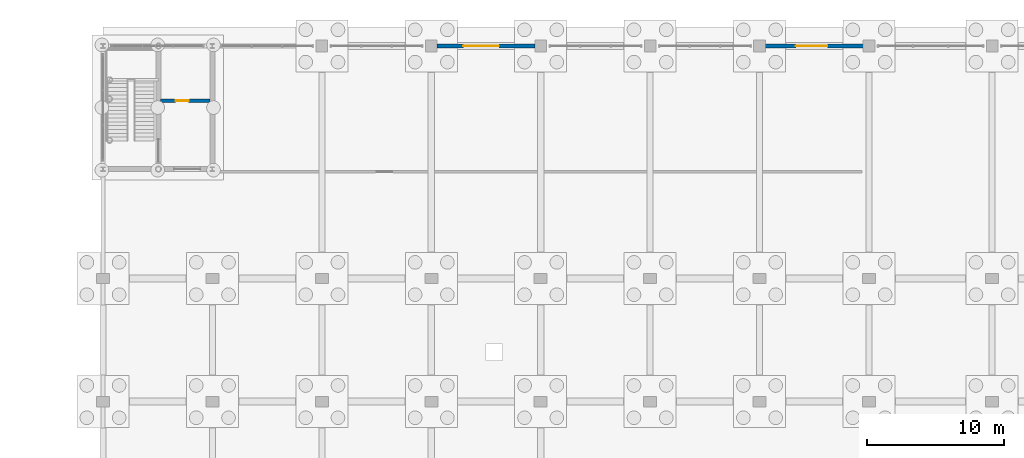
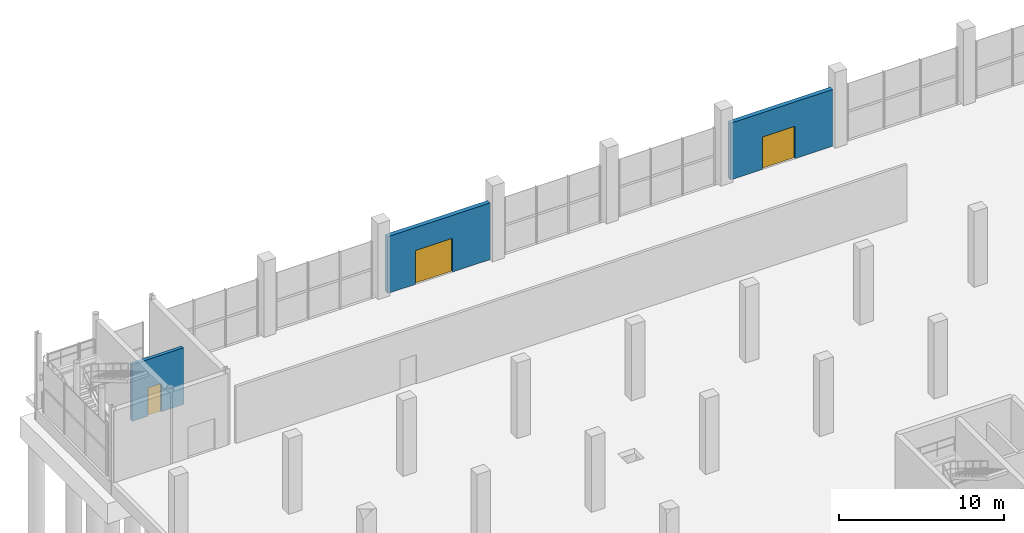
# One storey, part 83 of 98: 3 doors, 3 walls, 3 openings.
"""IFC4 building model written with IfcOpenShell, lengths in metres."""

from ifc_helpers import new_model, si_unit, derived_unit, direction, frame, frame_2d, origin, place, context, subcontext, project, spatial, rectangle, extrude, material, layer, layer_set, type_object, element, fill, save


model = new_model("IFC4")

# Units and contexts
model_context = context("Model", 3, precision=1e-05, world=origin(), true_north=direction((0.0, 1.0)))
body_context = subcontext(model_context, "Body", "Model", "MODEL_VIEW")
ifc_project = project(units=[si_unit("LENGTHUNIT", "METRE"), si_unit("AREAUNIT", "SQUARE_METRE"), si_unit("VOLUMEUNIT", "CUBIC_METRE"), si_unit("PLANEANGLEUNIT", "RADIAN"), si_unit("MASSUNIT", "GRAM", prefix="KILO"), si_unit("THERMODYNAMICTEMPERATUREUNIT", "KELVIN"), derived_unit("THERMALTRANSMITTANCEUNIT", [(si_unit("POWERUNIT", "WATT"), 1), (si_unit("AREAUNIT", "SQUARE_METRE"), -1), (si_unit("THERMODYNAMICTEMPERATUREUNIT", "KELVIN"), -1)])], contexts=[model_context])

# Site, building, storey
site_placement = place(None, origin())
site = spatial("IfcSite", under=ifc_project, at=site_placement, CompositionType="ELEMENT")
building_placement = place(site_placement, origin())
building = spatial("IfcBuilding", under=site, at=building_placement, Name="Haiyu Intermodal Mobility Hub", CompositionType="ELEMENT")
storey_placement = place(building_placement, origin())
storey = spatial("IfcBuildingStorey", under=building, at=storey_placement, Name="L00", CompositionType="ELEMENT", Elevation=0.0)

# Wall, opening, door
ifc_material_1 = material(Name="Precast concrete C40", Category="concrete")
ifc_layer_1 = layer(ifc_material_1, 0.300048828125)
ifc_layer_set_1 = layer_set([ifc_layer_1], Name="Precast concrete C40")
wall_type_1 = type_object("IfcWallType", Name="WAL-WE01", PredefinedType="STANDARD", material=ifc_layer_set_1)
wall_1_placement = place(storey_placement, frame((53.594970703125, 148.0, 0.0), z_axis=(0.0, 0.0, 1.0), x_axis=(-1.0, 0.0, 0.0)))
wall_1 = element("IfcWall", 1, at=wall_1_placement, inside=storey, type_object=wall_type_1, Name="WAL-V4N-L00-019", PredefinedType="STANDARD", context=body_context, shape_type="SweptSolid", body=[
    extrude(rectangle(XDim=7.18994140625, YDim=0.300048828125, at=frame_2d((3.594970703125, 0.0))), origin(), (0.0, 0.0, 1.0), 4.199951171875),
])
opening_1_placement = place(wall_1_placement, frame((2.64501953125, 0.0, 0.0)))
opening_1 = element("IfcOpeningElement", 2, at=opening_1_placement, cuts=wall_1, Name="Opening DE01", PredefinedType="OPENING", context=body_context, shape_type="SweptSolid", body=[
    extrude(rectangle(XDim=2.60009765625, YDim=2.5, at=frame_2d((1.300048828125, 1.25))), frame((0.0, 0.16015625, 0.0), z_axis=(0.0, -1.0, 0.0), x_axis=(1.0, 0.0, 0.0)), (0.0, 0.0, 1.0), 0.320068359375),
])
ifc_material_2 = material(Name="Anodised aluminium 6063-T6", Category="aluminium")
door_type_1 = type_object("IfcDoorType", Name="DR-DE01", OperationType="DOUBLE_DOOR_SLIDING", PredefinedType="DOOR", material=ifc_material_2)
door_1_placement = place(opening_1_placement, origin())
door_1 = element("IfcDoor", 3, at=door_1_placement, inside=storey, type_object=door_type_1, Name="WAL-V4N-L00-019-DR01", OperationType="DOUBLE_SWING_LEFT", OverallHeight=2.5, OverallWidth=2.60009765625, PredefinedType="DOOR", context=body_context, shape_type="SweptSolid", body=[
    extrude(rectangle(XDim=2.60009765625, YDim=2.5, at=frame_2d((1.300048828125, 1.25))), frame((0.0, 0.02490234375, 0.0), z_axis=(0.0, -1.0, 0.0), x_axis=(1.0, 0.0, 0.0)), (0.0, 0.0, 1.0), 0.050048828125),
])
fill(opening_1, door_1)

wall_2_placement = place(storey_placement, frame((77.594970703125, 148.0, 0.0), z_axis=(0.0, 0.0, 1.0), x_axis=(-1.0, 0.0, 0.0)))
wall_2 = element("IfcWall", 4, at=wall_2_placement, inside=storey, type_object=wall_type_1, Name="WAL-V4N-L00-035", PredefinedType="STANDARD", context=body_context, shape_type="SweptSolid", body=[
    extrude(rectangle(XDim=7.18994140625, YDim=0.300048828125, at=frame_2d((3.594970703125, 0.0))), origin(), (0.0, 0.0, 1.0), 4.199951171875),
])
opening_2_placement = place(wall_2_placement, frame((2.64501953125, 0.0, 0.0)))
opening_2 = element("IfcOpeningElement", 5, at=opening_2_placement, cuts=wall_2, Name="Opening DE10", PredefinedType="OPENING", context=body_context, shape_type="SweptSolid", body=[
    extrude(rectangle(XDim=2.300048828125, YDim=2.39990234375, at=frame_2d((1.14990234375, 1.199951171875))), frame((0.0, 0.16015625, 0.0), z_axis=(0.0, -1.0, 0.0), x_axis=(1.0, 0.0, 0.0)), (0.0, 0.0, 1.0), 0.320068359375),
])
door_type_2 = type_object("IfcDoorType", Name="DR-DE10", OperationType="DOUBLE_DOOR_SINGLE_SWING", PredefinedType="DOOR", material=ifc_material_2)
door_2_placement = place(opening_2_placement, origin())
door_2 = element("IfcDoor", 6, at=door_2_placement, inside=storey, type_object=door_type_2, Name="WAL-V4N-L00-035-DR01", OperationType="DOUBLE_SWING_LEFT", OverallHeight=2.39990234375, OverallWidth=2.300048828125, PredefinedType="DOOR", context=body_context, shape_type="SweptSolid", body=[
    extrude(rectangle(XDim=2.300048828125, YDim=2.39990234375, at=frame_2d((1.14990234375, 1.199951171875))), frame((0.0, 0.02490234375, 0.0), z_axis=(0.0, -1.0, 0.0), x_axis=(1.0, 0.0, 0.0)), (0.0, 0.0, 1.0), 0.050048828125),
])
fill(opening_2, door_2)

ifc_material_3 = material(Name="Autoclaved aerated concrete block A5.0", Category="concrete")
ifc_layer_2 = layer(ifc_material_3, 0.22998046875)
ifc_layer_set_2 = layer_set([ifc_layer_2], Name="Autoclaved aerated concrete block A5.0")
wall_type_2 = type_object("IfcWallType", Name="WAL-WI01", PredefinedType="PARTITIONING", material=ifc_layer_set_2)
wall_3_placement = place(storey_placement, frame((26.2099609375, 144.0, 0.0), z_axis=(0.0, 0.0, 1.0), x_axis=(1.0, 0.0, 0.0)))
wall_3 = element("IfcWall", 7, at=wall_3_placement, inside=storey, type_object=wall_type_2, Name="WAL-CORE-C3-LFT-L00", PredefinedType="PARTITIONING", context=body_context, shape_type="SweptSolid", body=[
    extrude(rectangle(XDim=3.630126953125, YDim=0.22998046875, at=frame_2d((1.81494140625, 0.0))), origin(), (0.0, 0.0, 1.0), 4.199951171875),
])
opening_3_placement = place(wall_3_placement, frame((1.10009765625, 0.0, 0.0)))
opening_3 = element("IfcOpeningElement", 8, at=opening_3_placement, cuts=wall_3, Name="Opening DI07", PredefinedType="OPENING", context=body_context, shape_type="SweptSolid", body=[
    extrude(rectangle(XDim=0.949951171875, YDim=2.10009765625, at=frame_2d((0.47509765625, 1.050048828125))), frame((0.0, 0.125, 0.0), z_axis=(0.0, -1.0, 0.0), x_axis=(1.0, 0.0, 0.0)), (0.0, 0.0, 1.0), 0.25),
])
ifc_material_4 = material(Name="Steel Q355C", Category="steel")
door_type_3 = type_object("IfcDoorType", Name="DR-DI07", OperationType="NOTDEFINED", PredefinedType="DOOR", material=ifc_material_4)
door_3_placement = place(opening_3_placement, origin())
door_3 = element("IfcDoor", 9, at=door_3_placement, inside=storey, type_object=door_type_3, Name="Core C3 Accessible WC Door L00", OperationType="SINGLE_SWING_RIGHT", OverallHeight=2.10009765625, OverallWidth=0.949951171875, PredefinedType="DOOR", context=body_context, shape_type="SweptSolid", body=[
    extrude(rectangle(XDim=0.949951171875, YDim=2.10009765625, at=frame_2d((0.47509765625, 1.050048828125))), frame((0.0, 0.02490234375, 0.0), z_axis=(0.0, -1.0, 0.0), x_axis=(1.0, 0.0, 0.0)), (0.0, 0.0, 1.0), 0.050048828125),
])
fill(opening_3, door_3)

save(model, "model.ifc")
